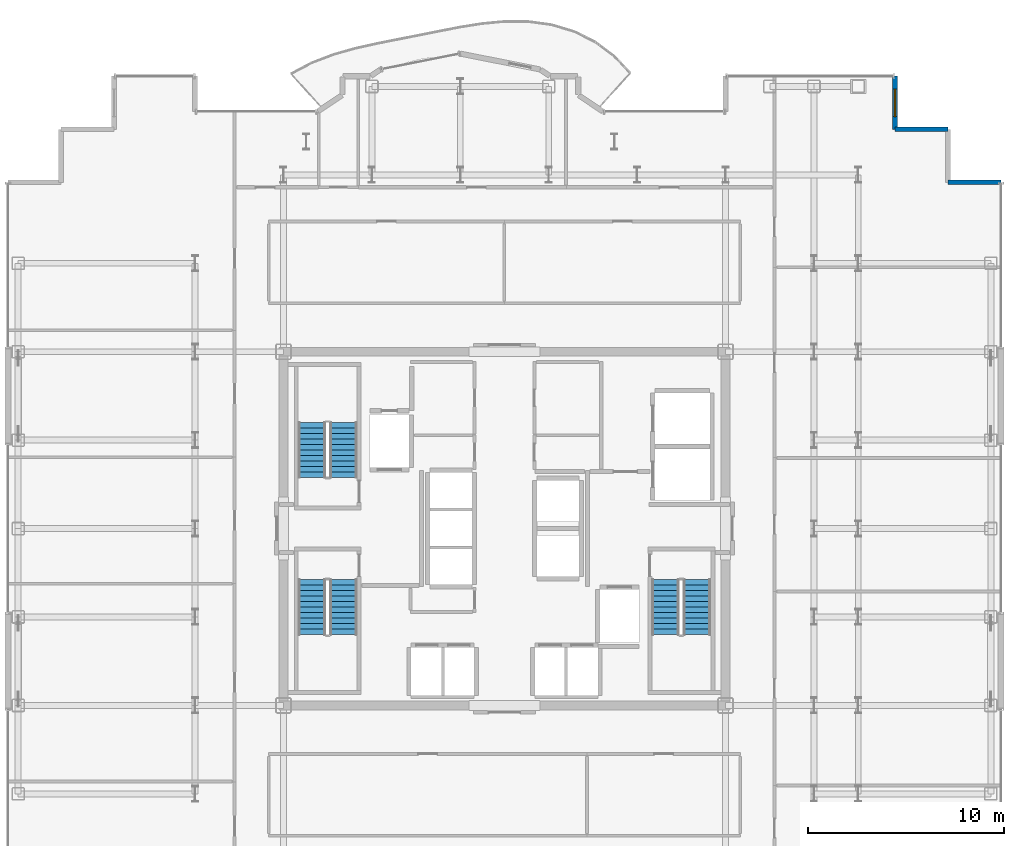
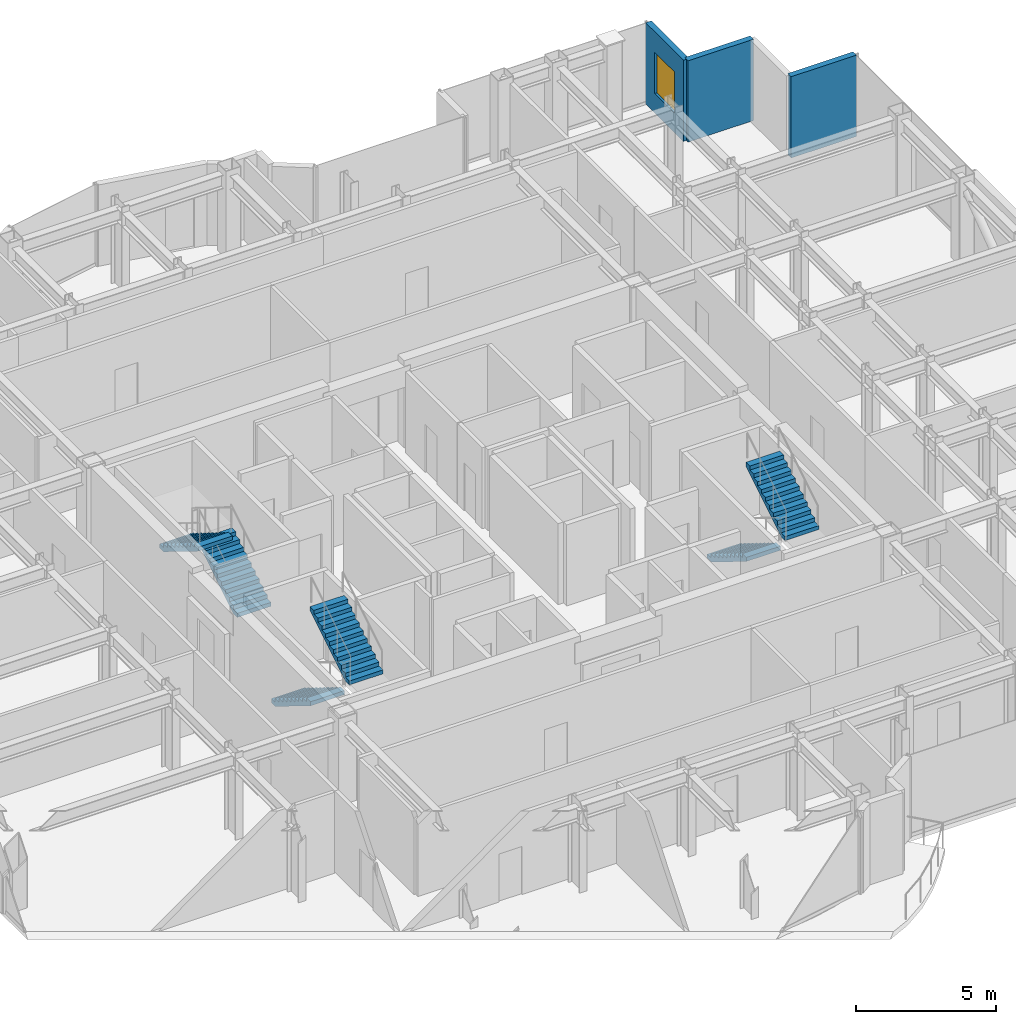
# One storey, part 20 of 22: 6 stair flights, 3 walls, 1 window, 1 opening, 3 elements without a shape of their own.
"""IFC4 building model written with IfcOpenShell, lengths in metres."""

from ifc_helpers import new_model, si_unit, direction, frame, frame_2d, origin, place, context, subcontext, project, spatial, polyline, rectangle, outline, extrude, source, transform, mapped, material, layer, layer_set, type_object, element, fill, aggregate, save


model = new_model("IFC4")

# Units and contexts
model_context = context("Model", 3, precision=1e-05, world=origin(), true_north=direction((0.0, 1.0)))
body_context = subcontext(model_context, "Body", "Model", "MODEL_VIEW")
ifc_project = project(units=[si_unit("LENGTHUNIT", "METRE"), si_unit("AREAUNIT", "SQUARE_METRE"), si_unit("VOLUMEUNIT", "CUBIC_METRE"), si_unit("PLANEANGLEUNIT", "RADIAN"), si_unit("MASSUNIT", "GRAM", prefix="KILO")], contexts=[model_context])

# Site, building, storey
site_placement = place(None, origin())
site = spatial("IfcSite", under=ifc_project, at=site_placement, CompositionType="ELEMENT")
building_placement = place(site_placement, origin())
building = spatial("IfcBuilding", under=site, at=building_placement, Name="Nefas-Gora Pilgrimage Tower", CompositionType="ELEMENT")
storey_placement = place(building_placement, frame((0.0, 0.0, 218.0)))
storey = spatial("IfcBuildingStorey", under=building, at=storey_placement, Name="L54", CompositionType="ELEMENT", Elevation=218.0)

# Walls
ifc_material_1 = material(Name="Precast concrete C45/55", Category="concrete")
ifc_layer = layer(ifc_material_1, 0.239990234375)
ifc_layer_set = layer_set([ifc_layer], Name="Precast concrete C45/55")
wall_type = type_object("IfcWallType", Name="EW-SERR-240", PredefinedType="SHEAR", material=ifc_layer_set)
shared_shape_1 = source(origin(), body_context, "Body", "SweptSolid", [
    extrude(rectangle(XDim=2.699951171875, YDim=0.239990234375, at=frame_2d((1.35009765625, 0.0))), origin(), (0.0, 0.0, 1.0), 3.550048828125),
])
for number, where, z_axis, x_axis, name in (
    (1, (25.27001953125, 17.6201171875, 0.0), (0.0, 0.0, 1.0), (-1.0, 0.0, 0.0), "L54 Serrated Corner Shear Pier Wall 10"),
    (2, (22.570068359375, 20.320068359375, 0.0), (0.0, 0.0, 1.0), (-1.0, 0.0, 0.0), "L54 Serrated Corner Shear Pier Wall 12"),
):
    element("IfcWall", number, at=place(storey_placement, frame(where, z_axis=z_axis, x_axis=x_axis)), inside=storey, type_object=wall_type, Name=name, PredefinedType="SHEAR", context=body_context, shape_type="MappedRepresentation", body=[
        mapped(shared_shape_1, transform((0.0, 0.0, 0.0), x_axis=(1.0, 0.0, 0.0), y_axis=(0.0, 1.0, 0.0), z_axis=(0.0, 0.0, 1.0), scale=1.0)),
    ])

# Wall, opening, window
wall_placement = place(storey_placement, frame((19.8701171875, 20.320068359375, 0.0), z_axis=(0.0, 0.0, 1.0), x_axis=(0.0, 1.0, 0.0)))
wall = element("IfcWall", 3, at=wall_placement, inside=storey, type_object=wall_type, Name="L54 Serrated Corner Shear Pier Wall 13", PredefinedType="SHEAR", context=body_context, shape_type="MappedRepresentation", body=[
    mapped(shared_shape_1, transform((0.0, 0.0, 0.0), x_axis=(1.0, 0.0, 0.0), y_axis=(0.0, 1.0, 0.0), z_axis=(0.0, 0.0, 1.0), scale=1.0)),
])
opening_placement = place(wall_placement, frame((0.64990234375, 0.0, 0.85009765625)))
opening = element("IfcOpeningElement", 4, at=opening_placement, cuts=wall, Name="Opening W-V2", PredefinedType="OPENING", context=body_context, shape_type="SweptSolid", body=[
    extrude(rectangle(XDim=1.39990234375, YDim=1.800048828125, at=frame_2d((0.699951171875, 0.89990234375))), frame((0.0, 0.1298828125, 0.0), z_axis=(0.0, -1.0, 0.0), x_axis=(1.0, 0.0, 0.0)), (0.0, 0.0, 1.0), 0.260009765625),
])
ifc_material_2 = material(Name="Dark ceramic-fritted operable aluminium-glass window", Category="aluminium")
window_type = type_object("IfcWindowType", Name="WIN-VENT-1400x1800", PartitioningType="SINGLE_PANEL", PredefinedType="WINDOW", material=ifc_material_2)
shared_shape_2 = source(origin(), body_context, "Body", "SweptSolid", [
    extrude(rectangle(XDim=1.39990234375, YDim=1.800048828125, at=frame_2d((0.699951171875, 0.89990234375))), frame((0.0, 0.030029296875, 0.0), z_axis=(0.0, -1.0, 0.0), x_axis=(1.0, 0.0, 0.0)), (0.0, 0.0, 1.0), 0.06005859375),
])
window_placement = place(opening_placement, origin())
window = element("IfcWindow", 5, at=window_placement, inside=storey, type_object=window_type, Name="L54 Operable Parallel-Outswing Window 13", OverallHeight=1.800048828125, OverallWidth=1.39990234375, PartitioningType="SINGLE_PANEL", PredefinedType="WINDOW", context=body_context, shape_type="MappedRepresentation", body=[
    mapped(shared_shape_2, transform((0.0, 0.0, 0.0), x_axis=(1.0, 0.0, 0.0), y_axis=(0.0, 1.0, 0.0), z_axis=(0.0, 0.0, 1.0), scale=1.0)),
])
fill(opening, window)

# Stair, stair flights
ifc_material_3 = material(Name="Concrete C45/55", Category="concrete")
stair_type = type_object("IfcStairType", Name="STR-1400-R1727", PredefinedType="HALF_TURN_STAIR", material=ifc_material_3)
stair_1_placement = place(storey_placement, origin())
stair_1 = element("IfcStair", 6, at=stair_1_placement, inside=storey, type_object=stair_type, Name="L54 Pressurised Tower Exit Stair ST-01", PredefinedType="HALF_TURN_STAIR")
stair_flight_type = type_object("IfcStairFlightType", Name="STF-1400-R1727", PredefinedType="STRAIGHT", material=ifc_material_3)
shared_shape_3 = source(origin(), body_context, "Body", "SweptSolid", [
    extrude(outline(polyline([(0.0, 0.0), (0.0, 0.172607421875), (0.280029296875, 0.172607421875), (0.280029296875, 0.345458984375), (0.56005859375, 0.345458984375), (0.56005859375, 0.51806640625), (0.840087890625, 0.51806640625), (0.840087890625, 0.69091796875), (1.1201171875, 0.69091796875), (1.1201171875, 0.863525390625), (1.39990234375, 0.863525390625), (1.39990234375, 1.036376953125), (1.679931640625, 1.036376953125), (1.679931640625, 1.208984375), (1.9599609375, 1.208984375), (1.9599609375, 1.3818359375), (2.239990234375, 1.3818359375), (2.239990234375, 1.554443359375), (2.52001953125, 1.554443359375), (2.52001953125, 1.727294921875), (2.800048828125, 1.727294921875), (2.800048828125, 1.89990234375), (2.800048828125, 1.551025390625), (0.285400390625, 0.0), (0.0, 0.0)])), frame((0.0, 0.699951171875, 0.0), z_axis=(0.0, -1.0, 0.0), x_axis=(1.0, 0.0, 0.0)), (0.0, 0.0, 1.0), 1.39990234375),
])
stair_flight_1_placement = place(storey_placement, frame((-8.199951171875, 2.60009765625, 0.0), z_axis=(0.0, 0.0, 1.0), x_axis=(0.0, 1.0, 0.0)))
stair_flight_1 = element("IfcStairFlight", 7, at=stair_flight_1_placement, type_object=stair_flight_type, Name="ST-01 flight 1", NumberOfRisers=11, NumberOfTreads=10, PredefinedType="STRAIGHT", RiserHeight=0.172727273, TreadLength=0.28, context=body_context, shape_type="MappedRepresentation", body=[
    mapped(shared_shape_3, transform((0.0, 0.0, 0.0), x_axis=(1.0, 0.0, 0.0), y_axis=(0.0, 1.0, 0.0), z_axis=(0.0, 0.0, 1.0), scale=1.0)),
])
stair_flight_2_placement = place(storey_placement, frame((-9.800048828125, 5.39990234375, 1.89990234375), z_axis=(0.0, 0.0, 1.0), x_axis=(0.0, -1.0, 0.0)))
stair_flight_2 = element("IfcStairFlight", 8, at=stair_flight_2_placement, type_object=stair_flight_type, Name="ST-01 flight 2", NumberOfRisers=11, NumberOfTreads=10, PredefinedType="STRAIGHT", RiserHeight=0.172727273, TreadLength=0.28, context=body_context, shape_type="MappedRepresentation", body=[
    mapped(shared_shape_3, transform((0.0, 0.0, 0.0), x_axis=(1.0, 0.0, 0.0), y_axis=(0.0, 1.0, 0.0), z_axis=(0.0, 0.0, 1.0), scale=1.0)),
])
aggregate(stair_1, [stair_flight_1, stair_flight_2])

stair_2_placement = place(storey_placement, origin())
stair_2 = element("IfcStair", 9, at=stair_2_placement, inside=storey, type_object=stair_type, Name="L54 Pressurised Tower Exit Stair ST-02", PredefinedType="HALF_TURN_STAIR")
stair_flight_3_placement = place(storey_placement, frame((8.199951171875, -2.60009765625, 0.0), z_axis=(0.0, 0.0, 1.0), x_axis=(0.0, -1.0, 0.0)))
stair_flight_3 = element("IfcStairFlight", 10, at=stair_flight_3_placement, type_object=stair_flight_type, Name="ST-02 flight 1", NumberOfRisers=11, NumberOfTreads=10, PredefinedType="STRAIGHT", RiserHeight=0.172727273, TreadLength=0.28, context=body_context, shape_type="MappedRepresentation", body=[
    mapped(shared_shape_3, transform((0.0, 0.0, 0.0), x_axis=(1.0, 0.0, 0.0), y_axis=(0.0, 1.0, 0.0), z_axis=(0.0, 0.0, 1.0), scale=1.0)),
])
stair_flight_4_placement = place(storey_placement, frame((9.800048828125, -5.39990234375, 1.89990234375), z_axis=(0.0, 0.0, 1.0), x_axis=(0.0, 1.0, 0.0)))
stair_flight_4 = element("IfcStairFlight", 11, at=stair_flight_4_placement, type_object=stair_flight_type, Name="ST-02 flight 2", NumberOfRisers=11, NumberOfTreads=10, PredefinedType="STRAIGHT", RiserHeight=0.172727273, TreadLength=0.28, context=body_context, shape_type="MappedRepresentation", body=[
    mapped(shared_shape_3, transform((0.0, 0.0, 0.0), x_axis=(1.0, 0.0, 0.0), y_axis=(0.0, 1.0, 0.0), z_axis=(0.0, 0.0, 1.0), scale=1.0)),
])
aggregate(stair_2, [stair_flight_3, stair_flight_4])

stair_3_placement = place(storey_placement, origin())
stair_3 = element("IfcStair", 12, at=stair_3_placement, inside=storey, type_object=stair_type, Name="L54 Pressurised Tower Exit Stair ST-03", PredefinedType="HALF_TURN_STAIR")
stair_flight_5_placement = place(storey_placement, frame((-9.800048828125, -2.60009765625, 0.0), z_axis=(0.0, 0.0, 1.0), x_axis=(0.0, -1.0, 0.0)))
stair_flight_5 = element("IfcStairFlight", 13, at=stair_flight_5_placement, type_object=stair_flight_type, Name="ST-03 flight 1", NumberOfRisers=11, NumberOfTreads=10, PredefinedType="STRAIGHT", RiserHeight=0.172727273, TreadLength=0.28, context=body_context, shape_type="MappedRepresentation", body=[
    mapped(shared_shape_3, transform((0.0, 0.0, 0.0), x_axis=(1.0, 0.0, 0.0), y_axis=(0.0, 1.0, 0.0), z_axis=(0.0, 0.0, 1.0), scale=1.0)),
])
stair_flight_6_placement = place(storey_placement, frame((-8.199951171875, -5.39990234375, 1.89990234375), z_axis=(0.0, 0.0, 1.0), x_axis=(0.0, 1.0, 0.0)))
stair_flight_6 = element("IfcStairFlight", 14, at=stair_flight_6_placement, type_object=stair_flight_type, Name="ST-03 flight 2", NumberOfRisers=11, NumberOfTreads=10, PredefinedType="STRAIGHT", RiserHeight=0.172727273, TreadLength=0.28, context=body_context, shape_type="MappedRepresentation", body=[
    mapped(shared_shape_3, transform((0.0, 0.0, 0.0), x_axis=(1.0, 0.0, 0.0), y_axis=(0.0, 1.0, 0.0), z_axis=(0.0, 0.0, 1.0), scale=1.0)),
])
aggregate(stair_3, [stair_flight_5, stair_flight_6])

save(model, "model.ifc")
